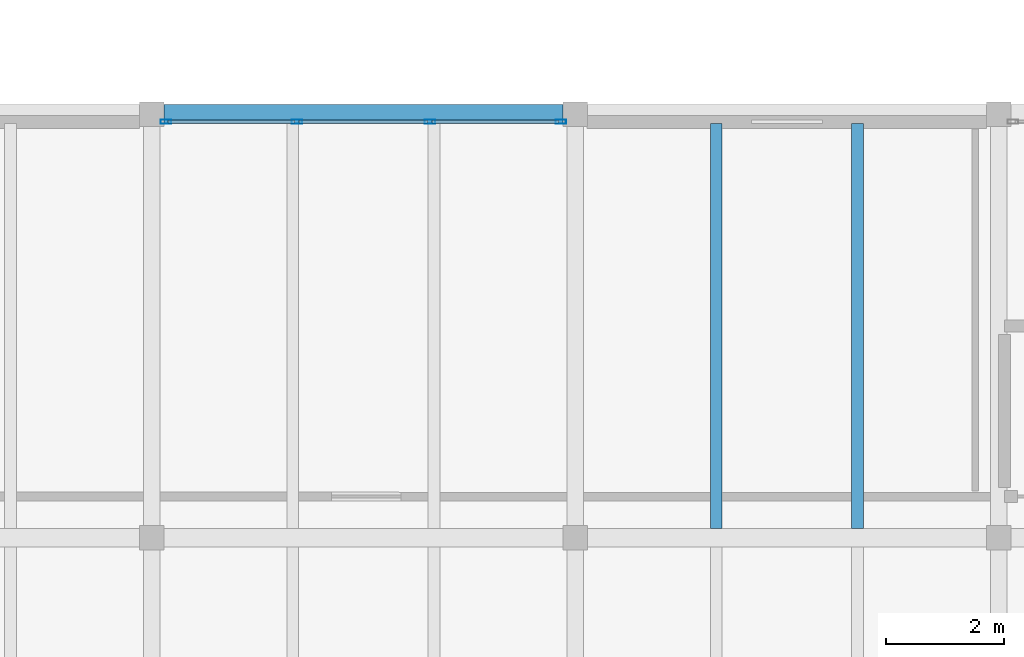
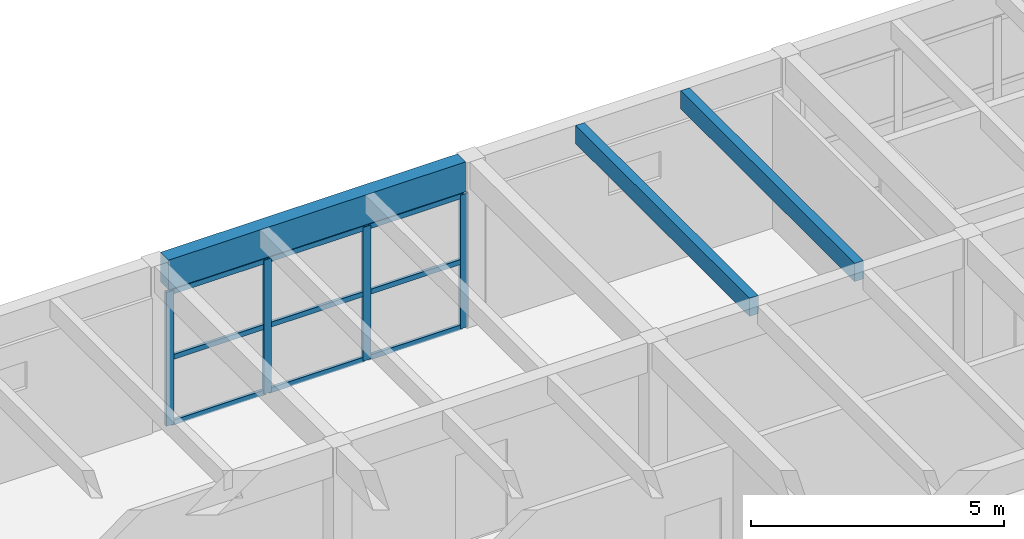
# One storey, part 45 of 68: 13 members, 3 beams, 1 element without a shape of its own.
"""IFC4 building model written with IfcOpenShell, lengths in metres."""

from ifc_helpers import new_model, si_unit, direction, frame, origin, origin_2d, place, context, subcontext, project, spatial, rectangle, hollow_rectangle, extrude, material, material_profile, profile_set, type_object, element, aggregate, save


model = new_model("IFC4")

# Units and contexts
model_context = context("Model", 3, precision=1e-05, world=origin(), true_north=direction((0.0, 1.0)))
body_context = subcontext(model_context, "Body", "Model", "MODEL_VIEW")
ifc_project = project(units=[si_unit("LENGTHUNIT", "METRE"), si_unit("AREAUNIT", "SQUARE_METRE"), si_unit("VOLUMEUNIT", "CUBIC_METRE"), si_unit("PLANEANGLEUNIT", "RADIAN"), si_unit("MASSUNIT", "GRAM", prefix="KILO")], contexts=[model_context])

# Site, building, storey
site_placement = place(None, origin())
site = spatial("IfcSite", under=ifc_project, at=site_placement, CompositionType="ELEMENT")
building_placement = place(site_placement, origin())
building = spatial("IfcBuilding", under=site, at=building_placement, Name="Bramvelor Terrace Health Centre", CompositionType="ELEMENT")
storey_placement = place(building_placement, frame((0.0, 0.0, 9.300048828125)))
storey = spatial("IfcBuildingStorey", under=building, at=storey_placement, Name="L03", CompositionType="ELEMENT", Elevation=9.300048828125)

# Beams
ifc_material_1 = material(Name="Glulam GL28h", Category="wood")
ifc_material_profile_1 = material_profile(ifc_material_1, rectangle(XDim=0.320068359375, YDim=0.719970703125, at=origin_2d()), Name="GL 320x720")
ifc_profile_set_1 = profile_set([ifc_material_profile_1], Name="Glulam GL28h")
beam_type_1 = type_object("IfcBeamType", Name="BM-GL-G720", PredefinedType="BEAM", material=ifc_profile_set_1)
beam_placement = place(storey_placement, frame((144.2099609375, 64.800048828125, 3.6298828125), z_axis=(1.0, 0.0, 0.0), x_axis=(0.0, 1.0, 0.0)))
element("IfcBeam", 1, at=beam_placement, inside=storey, type_object=beam_type_1, Name="L03 Floor Girder", PredefinedType="BEAM", context=body_context, shape_type="SweptSolid", body=[
    extrude(rectangle(XDim=0.320068359375, YDim=0.719970703125, at=origin_2d()), origin(), (0.0, 0.0, 1.0), 6.780029296875),
])
ifc_material_2 = material(Name="Glulam GL28h", Category="wood")
ifc_material_profile_2 = material_profile(ifc_material_2, rectangle(XDim=0.199951171875, YDim=0.43994140625, at=origin_2d()), Name="GL 200x440")
ifc_profile_set_2 = profile_set([ifc_material_profile_2], Name="Glulam GL28h")
beam_type_2 = type_object("IfcBeamType", Name="BM-GL-J440", PredefinedType="JOIST", material=ifc_profile_set_2)
for number, where, z_axis, x_axis, name in (
    (2, (153.60009765625, 57.760009765625, 3.77001953125), (0.0, 1.0, 0.0), (-1.0, 0.0, 0.0), "L03 Secondary Floor Joist"),
    (3, (156.0, 57.760009765625, 3.77001953125), (0.0, 1.0, 0.0), (-1.0, 0.0, 0.0), "L03 Secondary Floor Joist"),
):
    element("IfcBeam", number, at=place(storey_placement, frame(where, z_axis=z_axis, x_axis=x_axis)), inside=storey, type_object=beam_type_2, Name=name, PredefinedType="JOIST", context=body_context, shape_type="SweptSolid", body=[
        extrude(rectangle(XDim=0.199951171875, YDim=0.43994140625, at=origin_2d()), origin(), (0.0, 0.0, 1.0), 6.8798828125),
    ])

# Curtain wall, members
ifc_material_3 = material(Name="Anodized aluminium and double low-E glass", Category="aluminium")
curtain_wall_type = type_object("IfcCurtainWallType", Name="CW-SYS-27", PredefinedType="NOTDEFINED", material=ifc_material_3)
curtain_wall_placement = place(storey_placement, origin())
curtain_wall = element("IfcCurtainWall", 4, at=curtain_wall_placement, inside=storey, type_object=curtain_wall_type, Name="L03 Unitized Curtain Wall 165", PredefinedType="NOTDEFINED")
ifc_material_4 = material(Name="Anodized aluminium 6063-T6", Category="aluminium")
ifc_material_profile_3 = material_profile(ifc_material_4, hollow_rectangle(XDim=0.074951171875, YDim=0.179931640625, WallThickness=0.00341796875, at=origin_2d()), Name="ALU-MUL 75x180x3.5")
ifc_profile_set_3 = profile_set([ifc_material_profile_3], Name="Anodized aluminium 6063-T6")
member_type_1 = type_object("IfcMemberType", Name="CW-MUL-65x180", PredefinedType="MULLION", material=ifc_profile_set_3)
member_1_placement = place(storey_placement, frame((144.242431640625, 64.669921875, 0.0), z_axis=(0.0, 0.0, 1.0), x_axis=(0.0, 1.0, 0.0)))
member_1 = element("IfcMember", 5, at=member_1_placement, type_object=member_type_1, Name="CW-27 mullion 1", PredefinedType="MULLION", context=body_context, shape_type="SweptSolid", body=[
    extrude(hollow_rectangle(XDim=0.074951171875, YDim=0.179931640625, WallThickness=0.00341796875, at=origin_2d()), origin(), (0.0, 0.0, 1.0), 3.22998046875),
])
member_2_placement = place(storey_placement, frame((146.46826171875, 64.669921875, 0.0), z_axis=(0.0, 0.0, 1.0), x_axis=(0.0, 1.0, 0.0)))
member_2 = element("IfcMember", 6, at=member_2_placement, type_object=member_type_1, Name="CW-27 mullion 2", PredefinedType="MULLION", context=body_context, shape_type="SweptSolid", body=[
    extrude(hollow_rectangle(XDim=0.074951171875, YDim=0.179931640625, WallThickness=0.00341796875, at=origin_2d()), origin(), (0.0, 0.0, 1.0), 3.22998046875),
])
member_3_placement = place(storey_placement, frame((148.731689453125, 64.669921875, 0.0), z_axis=(0.0, 0.0, 1.0), x_axis=(0.0, 1.0, 0.0)))
member_3 = element("IfcMember", 7, at=member_3_placement, type_object=member_type_1, Name="CW-27 mullion 3", PredefinedType="MULLION", context=body_context, shape_type="SweptSolid", body=[
    extrude(hollow_rectangle(XDim=0.074951171875, YDim=0.179931640625, WallThickness=0.00341796875, at=origin_2d()), origin(), (0.0, 0.0, 1.0), 3.22998046875),
])
member_4_placement = place(storey_placement, frame((150.95751953125, 64.669921875, 0.0), z_axis=(0.0, 0.0, 1.0), x_axis=(0.0, 1.0, 0.0)))
member_4 = element("IfcMember", 8, at=member_4_placement, type_object=member_type_1, Name="CW-27 mullion 4", PredefinedType="MULLION", context=body_context, shape_type="SweptSolid", body=[
    extrude(hollow_rectangle(XDim=0.074951171875, YDim=0.179931640625, WallThickness=0.00341796875, at=origin_2d()), origin(), (0.0, 0.0, 1.0), 3.22998046875),
])
ifc_material_5 = material(Name="Anodized aluminium 6063-T6", Category="aluminium")
ifc_material_profile_4 = material_profile(ifc_material_5, hollow_rectangle(XDim=0.06494140625, YDim=0.1201171875, WallThickness=0.0029296875, at=origin_2d()), Name="ALU-TRN 65x120x3.0")
ifc_profile_set_4 = profile_set([ifc_material_profile_4], Name="Anodized aluminium 6063-T6")
member_type_2 = type_object("IfcMemberType", Name="CW-TRN-65x150", PredefinedType="USERDEFINED", material=ifc_profile_set_4)
member_5_placement = place(storey_placement, frame((144.280029296875, 64.669921875, 0.032470703125), z_axis=(1.0, 0.0, 0.0), x_axis=(0.0, 1.0, 0.0)))
member_5 = element("IfcMember", 9, at=member_5_placement, type_object=member_type_2, Name="CW-27 transom 1.1", ObjectType="TRANSOM", PredefinedType="USERDEFINED", context=body_context, shape_type="SweptSolid", body=[
    extrude(hollow_rectangle(XDim=0.06494140625, YDim=0.1201171875, WallThickness=0.0029296875, at=origin_2d()), origin(), (0.0, 0.0, 1.0), 2.15087890625),
])
member_6_placement = place(storey_placement, frame((144.280029296875, 64.669921875, 1.614990234375), z_axis=(1.0, 0.0, 0.0), x_axis=(0.0, 1.0, 0.0)))
member_6 = element("IfcMember", 10, at=member_6_placement, type_object=member_type_2, Name="CW-27 transom 1.2", ObjectType="TRANSOM", PredefinedType="USERDEFINED", context=body_context, shape_type="SweptSolid", body=[
    extrude(hollow_rectangle(XDim=0.06494140625, YDim=0.1201171875, WallThickness=0.0029296875, at=origin_2d()), origin(), (0.0, 0.0, 1.0), 2.15087890625),
])
member_7_placement = place(storey_placement, frame((144.280029296875, 64.669921875, 3.197509765625), z_axis=(1.0, 0.0, 0.0), x_axis=(0.0, 1.0, 0.0)))
member_7 = element("IfcMember", 11, at=member_7_placement, type_object=member_type_2, Name="CW-27 transom 1.3", ObjectType="TRANSOM", PredefinedType="USERDEFINED", context=body_context, shape_type="SweptSolid", body=[
    extrude(hollow_rectangle(XDim=0.06494140625, YDim=0.1201171875, WallThickness=0.0029296875, at=origin_2d()), origin(), (0.0, 0.0, 1.0), 2.15087890625),
])
member_8_placement = place(storey_placement, frame((146.505859375, 64.669921875, 0.032470703125), z_axis=(1.0, 0.0, 0.0), x_axis=(0.0, 1.0, 0.0)))
member_8 = element("IfcMember", 12, at=member_8_placement, type_object=member_type_2, Name="CW-27 transom 2.1", ObjectType="TRANSOM", PredefinedType="USERDEFINED", context=body_context, shape_type="SweptSolid", body=[
    extrude(hollow_rectangle(XDim=0.06494140625, YDim=0.1201171875, WallThickness=0.0029296875, at=origin_2d()), origin(), (0.0, 0.0, 1.0), 2.188232421875),
])
member_9_placement = place(storey_placement, frame((146.505859375, 64.669921875, 1.614990234375), z_axis=(1.0, 0.0, 0.0), x_axis=(0.0, 1.0, 0.0)))
member_9 = element("IfcMember", 13, at=member_9_placement, type_object=member_type_2, Name="CW-27 transom 2.2", ObjectType="TRANSOM", PredefinedType="USERDEFINED", context=body_context, shape_type="SweptSolid", body=[
    extrude(hollow_rectangle(XDim=0.06494140625, YDim=0.1201171875, WallThickness=0.0029296875, at=origin_2d()), origin(), (0.0, 0.0, 1.0), 2.188232421875),
])
member_10_placement = place(storey_placement, frame((146.505859375, 64.669921875, 3.197509765625), z_axis=(1.0, 0.0, 0.0), x_axis=(0.0, 1.0, 0.0)))
member_10 = element("IfcMember", 14, at=member_10_placement, type_object=member_type_2, Name="CW-27 transom 2.3", ObjectType="TRANSOM", PredefinedType="USERDEFINED", context=body_context, shape_type="SweptSolid", body=[
    extrude(hollow_rectangle(XDim=0.06494140625, YDim=0.1201171875, WallThickness=0.0029296875, at=origin_2d()), origin(), (0.0, 0.0, 1.0), 2.188232421875),
])
member_11_placement = place(storey_placement, frame((148.769287109375, 64.669921875, 0.032470703125), z_axis=(1.0, 0.0, 0.0), x_axis=(0.0, 1.0, 0.0)))
member_11 = element("IfcMember", 15, at=member_11_placement, type_object=member_type_2, Name="CW-27 transom 3.1", ObjectType="TRANSOM", PredefinedType="USERDEFINED", context=body_context, shape_type="SweptSolid", body=[
    extrude(hollow_rectangle(XDim=0.06494140625, YDim=0.1201171875, WallThickness=0.0029296875, at=origin_2d()), origin(), (0.0, 0.0, 1.0), 2.150634765625),
])
member_12_placement = place(storey_placement, frame((148.769287109375, 64.669921875, 1.614990234375), z_axis=(1.0, 0.0, 0.0), x_axis=(0.0, 1.0, 0.0)))
member_12 = element("IfcMember", 16, at=member_12_placement, type_object=member_type_2, Name="CW-27 transom 3.2", ObjectType="TRANSOM", PredefinedType="USERDEFINED", context=body_context, shape_type="SweptSolid", body=[
    extrude(hollow_rectangle(XDim=0.06494140625, YDim=0.1201171875, WallThickness=0.0029296875, at=origin_2d()), origin(), (0.0, 0.0, 1.0), 2.150634765625),
])
member_13_placement = place(storey_placement, frame((148.769287109375, 64.669921875, 3.197509765625), z_axis=(1.0, 0.0, 0.0), x_axis=(0.0, 1.0, 0.0)))
member_13 = element("IfcMember", 17, at=member_13_placement, type_object=member_type_2, Name="CW-27 transom 3.3", ObjectType="TRANSOM", PredefinedType="USERDEFINED", context=body_context, shape_type="SweptSolid", body=[
    extrude(hollow_rectangle(XDim=0.06494140625, YDim=0.1201171875, WallThickness=0.0029296875, at=origin_2d()), origin(), (0.0, 0.0, 1.0), 2.150634765625),
])
aggregate(curtain_wall, [member_1, member_2, member_3, member_4, member_5, member_6, member_7, member_8, member_9, member_10, member_11, member_12, member_13])

save(model, "model.ifc")
